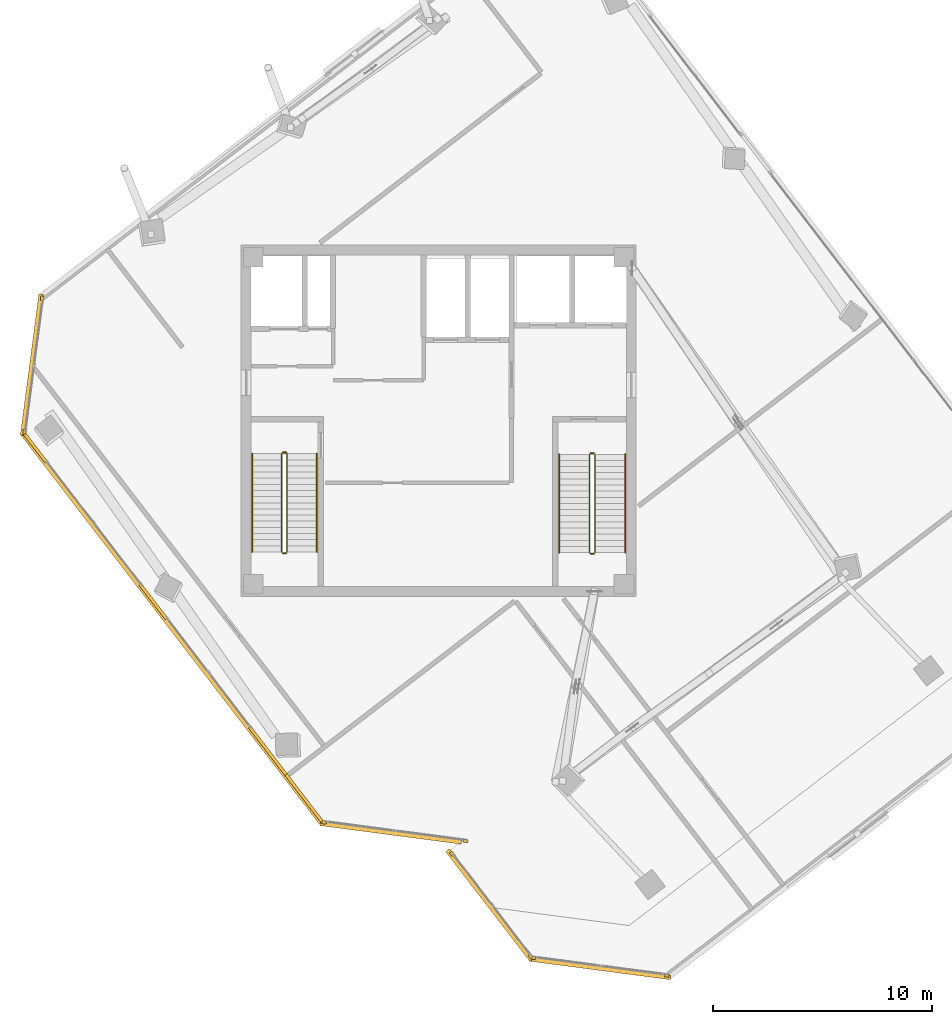
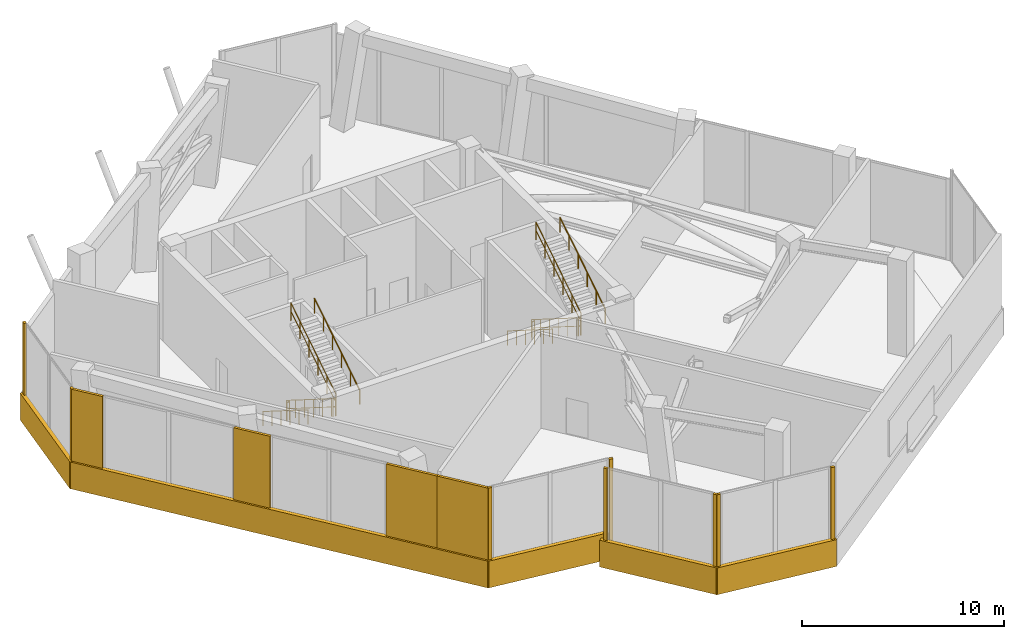
# One storey, part 17 of 19: 17 coverings, 12 railings.
"""IFC4 building model written with IfcOpenShell, lengths in metres."""

from ifc_helpers import new_model, si_unit, direction, frame, origin, origin_2d, place, context, subcontext, project, spatial, rectangle, circle, extrude, source, transform, mapped, material, layer, layer_set, type_object, element, save


model = new_model("IFC4")

# Units and contexts
model_context = context("Model", 3, precision=1e-05, world=origin(), true_north=direction((0.0, 1.0)))
body_context = subcontext(model_context, "Body", "Model", "MODEL_VIEW")
ifc_project = project(units=[si_unit("LENGTHUNIT", "METRE"), si_unit("AREAUNIT", "SQUARE_METRE"), si_unit("VOLUMEUNIT", "CUBIC_METRE"), si_unit("PLANEANGLEUNIT", "RADIAN"), si_unit("MASSUNIT", "GRAM", prefix="KILO")], contexts=[model_context])

# Site, building, storey
site_placement = place(None, origin())
site = spatial("IfcSite", under=ifc_project, at=site_placement, CompositionType="ELEMENT")
building_placement = place(site_placement, origin())
building = spatial("IfcBuilding", under=site, at=building_placement, Name="Torre Montelarca", CompositionType="ELEMENT")
storey_placement = place(building_placement, frame((0.0, 0.0, 287.800048828125)))
storey = spatial("IfcBuildingStorey", under=building, at=storey_placement, Name="L65", CompositionType="ELEMENT", Elevation=287.800048828125)

# Railings
ifc_material_1 = material(Name="Powder-coated steel ASTM A500 Grade C", Category="steel")
railing_type_1 = type_object("IfcRailingType", Name="RL-GUARD-1100", PredefinedType="BALUSTRADE", material=ifc_material_1)
railing_1_placement = place(storey_placement, frame((10.85009765625, 30.5, 0.176513671875)))
element("IfcRailing", 1, at=railing_1_placement, inside=storey, type_object=railing_type_1, Name="L65 ST1 stair guard 1", PredefinedType="BALUSTRADE", context=body_context, shape_type="SweptSolid", body=[
    extrude(circle(Radius=0.02392578125, at=origin_2d()), frame((0.0, 0.0, 1.076171875), z_axis=(0.0, -0.845997938375, 0.533186166611), x_axis=(1.0, 0.0, 0.0)), (0.0, 0.0, 1.0), 5.29541015625),
    extrude(circle(Radius=0.02099609375, at=origin_2d()), frame((0.0, 0.0, 0.572021484375), z_axis=(0.0, -0.845997938375, 0.533186166611), x_axis=(1.0, 0.0, 0.0)), (0.0, 0.0, 1.0), 5.29541015625),
    extrude(circle(Radius=0.02099609375, at=origin_2d()), origin(), (0.0, 0.0, 1.0), 1.052001953125),
    extrude(circle(Radius=0.02099609375, at=origin_2d()), frame((0.0, -0.89599609375, 0.564697265625)), (0.0, 0.0, 1.0), 1.052001953125),
    extrude(circle(Radius=0.02099609375, at=origin_2d()), frame((0.0, -1.7919921875, 1.12939453125)), (0.0, 0.0, 1.0), 1.052001953125),
    extrude(circle(Radius=0.02099609375, at=origin_2d()), frame((0.0, -2.68798828125, 1.694091796875)), (0.0, 0.0, 1.0), 1.052001953125),
    extrude(circle(Radius=0.02099609375, at=origin_2d()), frame((0.0, -3.583984375, 2.2587890625)), (0.0, 0.0, 1.0), 1.052001953125),
    extrude(circle(Radius=0.02099609375, at=origin_2d()), frame((0.0, -4.47998046875, 2.823486328125)), (0.0, 0.0, 1.0), 1.052001953125),
])
railing_2_placement = place(storey_placement, frame((10.89990234375, 25.969970703125, 3.0)))
element("IfcRailing", 2, at=railing_2_placement, inside=storey, type_object=railing_type_1, Name="L65 ST1 stair guard 2", PredefinedType="BALUSTRADE", context=body_context, shape_type="SweptSolid", body=[
    extrude(circle(Radius=0.02392578125, at=origin_2d()), frame((0.0, 0.0, 1.076171875), z_axis=(1.0, 0.0, 0.0), x_axis=(0.0, 1.0, 0.0)), (0.0, 0.0, 1.0), 0.150146484375),
    extrude(circle(Radius=0.02099609375, at=origin_2d()), frame((0.0, 0.0, 0.572021484375), z_axis=(1.0, 0.0, 0.0), x_axis=(0.0, 1.0, 0.0)), (0.0, 0.0, 1.0), 0.150146484375),
    extrude(circle(Radius=0.02099609375, at=origin_2d()), origin(), (0.0, 0.0, 1.0), 1.052001953125),
    extrude(circle(Radius=0.02099609375, at=origin_2d()), frame((0.150146484375, 0.0, 0.0)), (0.0, 0.0, 1.0), 1.052001953125),
])
railing_3_placement = place(storey_placement, frame((11.10009765625, 26.02001953125, 3.176513671875)))
element("IfcRailing", 3, at=railing_3_placement, inside=storey, type_object=railing_type_1, Name="L65 ST1 stair guard 3", PredefinedType="BALUSTRADE", context=body_context, shape_type="SweptSolid", body=[
    extrude(circle(Radius=0.02392578125, at=origin_2d()), frame((0.0, 0.0, 1.076171875), z_axis=(0.0, 0.845997938375, 0.533186166611), x_axis=(-1.0, 0.0, 0.0)), (0.0, 0.0, 1.0), 5.29541015625),
    extrude(circle(Radius=0.02099609375, at=origin_2d()), frame((0.0, 0.0, 0.572021484375), z_axis=(0.0, 0.845997938375, 0.533186166611), x_axis=(-1.0, 0.0, 0.0)), (0.0, 0.0, 1.0), 5.29541015625),
    extrude(circle(Radius=0.02099609375, at=origin_2d()), origin(), (0.0, 0.0, 1.0), 1.052001953125),
    extrude(circle(Radius=0.02099609375, at=origin_2d()), frame((0.0, 0.89599609375, 0.564697265625)), (0.0, 0.0, 1.0), 1.052001953125),
    extrude(circle(Radius=0.02099609375, at=origin_2d()), frame((0.0, 1.7919921875, 1.12939453125)), (0.0, 0.0, 1.0), 1.052001953125),
    extrude(circle(Radius=0.02099609375, at=origin_2d()), frame((0.0, 2.68798828125, 1.694091796875)), (0.0, 0.0, 1.0), 1.052001953125),
    extrude(circle(Radius=0.02099609375, at=origin_2d()), frame((0.0, 3.583984375, 2.2587890625)), (0.0, 0.0, 1.0), 1.052001953125),
    extrude(circle(Radius=0.02099609375, at=origin_2d()), frame((0.0, 4.47998046875, 2.823486328125)), (0.0, 0.0, 1.0), 1.052001953125),
])
railing_4_placement = place(storey_placement, frame((10.89990234375, 30.550048828125, 0.0)))
element("IfcRailing", 4, at=railing_4_placement, inside=storey, type_object=railing_type_1, Name="L65 ST1 stair guard 4", PredefinedType="BALUSTRADE", context=body_context, shape_type="SweptSolid", body=[
    extrude(circle(Radius=0.02392578125, at=origin_2d()), frame((0.0, 0.0, 1.076171875), z_axis=(1.0, 0.0, 0.0), x_axis=(0.0, 1.0, 0.0)), (0.0, 0.0, 1.0), 0.150146484375),
    extrude(circle(Radius=0.02099609375, at=origin_2d()), frame((0.0, 0.0, 0.572021484375), z_axis=(1.0, 0.0, 0.0), x_axis=(0.0, 1.0, 0.0)), (0.0, 0.0, 1.0), 0.150146484375),
    extrude(circle(Radius=0.02099609375, at=origin_2d()), origin(), (0.0, 0.0, 1.0), 1.052001953125),
    extrude(circle(Radius=0.02099609375, at=origin_2d()), frame((0.150146484375, 0.0, 0.0)), (0.0, 0.0, 1.0), 1.052001953125),
])
railing_5_placement = place(storey_placement, frame((24.8701171875, 30.469970703125, 0.176513671875)))
element("IfcRailing", 5, at=railing_5_placement, inside=storey, type_object=railing_type_1, Name="L65 ST2 stair guard 1", PredefinedType="BALUSTRADE", context=body_context, shape_type="SweptSolid", body=[
    extrude(circle(Radius=0.02392578125, at=origin_2d()), frame((0.0, 0.0, 1.076171875), z_axis=(0.0, -0.845997938375, 0.533186166611), x_axis=(1.0, 0.0, 0.0)), (0.0, 0.0, 1.0), 5.29541015625),
    extrude(circle(Radius=0.02099609375, at=origin_2d()), frame((0.0, 0.0, 0.572021484375), z_axis=(0.0, -0.845997938375, 0.533186166611), x_axis=(1.0, 0.0, 0.0)), (0.0, 0.0, 1.0), 5.29541015625),
    extrude(circle(Radius=0.02099609375, at=origin_2d()), origin(), (0.0, 0.0, 1.0), 1.052001953125),
    extrude(circle(Radius=0.02099609375, at=origin_2d()), frame((0.0, -0.89599609375, 0.564697265625)), (0.0, 0.0, 1.0), 1.052001953125),
    extrude(circle(Radius=0.02099609375, at=origin_2d()), frame((0.0, -1.7919921875, 1.12939453125)), (0.0, 0.0, 1.0), 1.052001953125),
    extrude(circle(Radius=0.02099609375, at=origin_2d()), frame((0.0, -2.68798828125, 1.694091796875)), (0.0, 0.0, 1.0), 1.052001953125),
    extrude(circle(Radius=0.02099609375, at=origin_2d()), frame((0.0, -3.583984375, 2.2587890625)), (0.0, 0.0, 1.0), 1.052001953125),
    extrude(circle(Radius=0.02099609375, at=origin_2d()), frame((0.0, -4.47998046875, 2.823486328125)), (0.0, 0.0, 1.0), 1.052001953125),
])
railing_6_placement = place(storey_placement, frame((24.919921875, 25.93994140625, 3.0)))
element("IfcRailing", 6, at=railing_6_placement, inside=storey, type_object=railing_type_1, Name="L65 ST2 stair guard 2", PredefinedType="BALUSTRADE", context=body_context, shape_type="SweptSolid", body=[
    extrude(circle(Radius=0.02392578125, at=origin_2d()), frame((0.0, 0.0, 1.076171875), z_axis=(1.0, 0.0, 0.0), x_axis=(0.0, 1.0, 0.0)), (0.0, 0.0, 1.0), 0.150146484375),
    extrude(circle(Radius=0.02099609375, at=origin_2d()), frame((0.0, 0.0, 0.572021484375), z_axis=(1.0, 0.0, 0.0), x_axis=(0.0, 1.0, 0.0)), (0.0, 0.0, 1.0), 0.150146484375),
    extrude(circle(Radius=0.02099609375, at=origin_2d()), origin(), (0.0, 0.0, 1.0), 1.052001953125),
    extrude(circle(Radius=0.02099609375, at=origin_2d()), frame((0.150146484375, 0.0, 0.0)), (0.0, 0.0, 1.0), 1.052001953125),
])
railing_7_placement = place(storey_placement, frame((25.1201171875, 25.989990234375, 3.176513671875)))
element("IfcRailing", 7, at=railing_7_placement, inside=storey, type_object=railing_type_1, Name="L65 ST2 stair guard 3", PredefinedType="BALUSTRADE", context=body_context, shape_type="SweptSolid", body=[
    extrude(circle(Radius=0.02392578125, at=origin_2d()), frame((0.0, 0.0, 1.076171875), z_axis=(0.0, 0.845997938375, 0.533186166611), x_axis=(-1.0, 0.0, 0.0)), (0.0, 0.0, 1.0), 5.29541015625),
    extrude(circle(Radius=0.02099609375, at=origin_2d()), frame((0.0, 0.0, 0.572021484375), z_axis=(0.0, 0.845997938375, 0.533186166611), x_axis=(-1.0, 0.0, 0.0)), (0.0, 0.0, 1.0), 5.29541015625),
    extrude(circle(Radius=0.02099609375, at=origin_2d()), origin(), (0.0, 0.0, 1.0), 1.052001953125),
    extrude(circle(Radius=0.02099609375, at=origin_2d()), frame((0.0, 0.89599609375, 0.564697265625)), (0.0, 0.0, 1.0), 1.052001953125),
    extrude(circle(Radius=0.02099609375, at=origin_2d()), frame((0.0, 1.7919921875, 1.12939453125)), (0.0, 0.0, 1.0), 1.052001953125),
    extrude(circle(Radius=0.02099609375, at=origin_2d()), frame((0.0, 2.68798828125, 1.694091796875)), (0.0, 0.0, 1.0), 1.052001953125),
    extrude(circle(Radius=0.02099609375, at=origin_2d()), frame((0.0, 3.583984375, 2.2587890625)), (0.0, 0.0, 1.0), 1.052001953125),
    extrude(circle(Radius=0.02099609375, at=origin_2d()), frame((0.0, 4.47998046875, 2.823486328125)), (0.0, 0.0, 1.0), 1.052001953125),
])
railing_8_placement = place(storey_placement, frame((24.919921875, 30.52001953125, 0.0)))
element("IfcRailing", 8, at=railing_8_placement, inside=storey, type_object=railing_type_1, Name="L65 ST2 stair guard 4", PredefinedType="BALUSTRADE", context=body_context, shape_type="SweptSolid", body=[
    extrude(circle(Radius=0.02392578125, at=origin_2d()), frame((0.0, 0.0, 1.076171875), z_axis=(1.0, 0.0, 0.0), x_axis=(0.0, 1.0, 0.0)), (0.0, 0.0, 1.0), 0.150146484375),
    extrude(circle(Radius=0.02099609375, at=origin_2d()), frame((0.0, 0.0, 0.572021484375), z_axis=(1.0, 0.0, 0.0), x_axis=(0.0, 1.0, 0.0)), (0.0, 0.0, 1.0), 0.150146484375),
    extrude(circle(Radius=0.02099609375, at=origin_2d()), origin(), (0.0, 0.0, 1.0), 1.052001953125),
    extrude(circle(Radius=0.02099609375, at=origin_2d()), frame((0.150146484375, 0.0, 0.0)), (0.0, 0.0, 1.0), 1.052001953125),
])
ifc_material_2 = material(Name="Brushed stainless steel AISI 316", Category="steel")
railing_type_2 = type_object("IfcRailingType", Name="RL-HANDRAIL-900", PredefinedType="HANDRAIL", material=ifc_material_2)
railing_9_placement = place(storey_placement, frame((9.5, 30.5, 0.176513671875)))
element("IfcRailing", 9, at=railing_9_placement, inside=storey, type_object=railing_type_2, Name="L65 ST1 stair handrail 1", PredefinedType="HANDRAIL", context=body_context, shape_type="SweptSolid", body=[
    extrude(circle(Radius=0.02392578125, at=origin_2d()), frame((0.0, 0.0, 0.8759765625), z_axis=(0.0, -0.845997938375, 0.533186166611), x_axis=(1.0, 0.0, 0.0)), (0.0, 0.0, 1.0), 5.29541015625),
    extrude(circle(Radius=0.02099609375, at=origin_2d()), origin(), (0.0, 0.0, 1.0), 0.851806640625),
    extrude(circle(Radius=0.02099609375, at=origin_2d()), frame((0.0, -0.89599609375, 0.564697265625)), (0.0, 0.0, 1.0), 0.851806640625),
    extrude(circle(Radius=0.02099609375, at=origin_2d()), frame((0.0, -1.7919921875, 1.12939453125)), (0.0, 0.0, 1.0), 0.851806640625),
    extrude(circle(Radius=0.02099609375, at=origin_2d()), frame((0.0, -2.68798828125, 1.694091796875)), (0.0, 0.0, 1.0), 0.851806640625),
    extrude(circle(Radius=0.02099609375, at=origin_2d()), frame((0.0, -3.583984375, 2.2587890625)), (0.0, 0.0, 1.0), 0.851806640625),
    extrude(circle(Radius=0.02099609375, at=origin_2d()), frame((0.0, -4.47998046875, 2.823486328125)), (0.0, 0.0, 1.0), 0.851806640625),
])
railing_10_placement = place(storey_placement, frame((12.449951171875, 26.02001953125, 3.176513671875)))
element("IfcRailing", 10, at=railing_10_placement, inside=storey, type_object=railing_type_2, Name="L65 ST1 stair handrail 2", PredefinedType="HANDRAIL", context=body_context, shape_type="SweptSolid", body=[
    extrude(circle(Radius=0.02392578125, at=origin_2d()), frame((0.0, 0.0, 0.8759765625), z_axis=(0.0, 0.845997938375, 0.533186166611), x_axis=(-1.0, 0.0, 0.0)), (0.0, 0.0, 1.0), 5.29541015625),
    extrude(circle(Radius=0.02099609375, at=origin_2d()), origin(), (0.0, 0.0, 1.0), 0.851806640625),
    extrude(circle(Radius=0.02099609375, at=origin_2d()), frame((0.0, 0.89599609375, 0.564697265625)), (0.0, 0.0, 1.0), 0.851806640625),
    extrude(circle(Radius=0.02099609375, at=origin_2d()), frame((0.0, 1.7919921875, 1.12939453125)), (0.0, 0.0, 1.0), 0.851806640625),
    extrude(circle(Radius=0.02099609375, at=origin_2d()), frame((0.0, 2.68798828125, 1.694091796875)), (0.0, 0.0, 1.0), 0.851806640625),
    extrude(circle(Radius=0.02099609375, at=origin_2d()), frame((0.0, 3.583984375, 2.2587890625)), (0.0, 0.0, 1.0), 0.851806640625),
    extrude(circle(Radius=0.02099609375, at=origin_2d()), frame((0.0, 4.47998046875, 2.823486328125)), (0.0, 0.0, 1.0), 0.851806640625),
])
railing_11_placement = place(storey_placement, frame((23.489990234375, 30.469970703125, 0.176513671875)))
element("IfcRailing", 11, at=railing_11_placement, inside=storey, type_object=railing_type_2, Name="L65 ST2 stair handrail 1", PredefinedType="HANDRAIL", context=body_context, shape_type="SweptSolid", body=[
    extrude(circle(Radius=0.02392578125, at=origin_2d()), frame((0.0, 0.0, 0.8759765625), z_axis=(0.0, -0.845997938375, 0.533186166611), x_axis=(1.0, 0.0, 0.0)), (0.0, 0.0, 1.0), 5.29541015625),
    extrude(circle(Radius=0.02099609375, at=origin_2d()), origin(), (0.0, 0.0, 1.0), 0.851806640625),
    extrude(circle(Radius=0.02099609375, at=origin_2d()), frame((0.0, -0.89599609375, 0.564697265625)), (0.0, 0.0, 1.0), 0.851806640625),
    extrude(circle(Radius=0.02099609375, at=origin_2d()), frame((0.0, -1.7919921875, 1.12939453125)), (0.0, 0.0, 1.0), 0.851806640625),
    extrude(circle(Radius=0.02099609375, at=origin_2d()), frame((0.0, -2.68798828125, 1.694091796875)), (0.0, 0.0, 1.0), 0.851806640625),
    extrude(circle(Radius=0.02099609375, at=origin_2d()), frame((0.0, -3.583984375, 2.2587890625)), (0.0, 0.0, 1.0), 0.851806640625),
    extrude(circle(Radius=0.02099609375, at=origin_2d()), frame((0.0, -4.47998046875, 2.823486328125)), (0.0, 0.0, 1.0), 0.851806640625),
])
railing_12_placement = place(storey_placement, frame((26.5, 25.989990234375, 3.176513671875)))
element("IfcRailing", 12, at=railing_12_placement, inside=storey, type_object=railing_type_2, Name="L65 ST2 stair handrail 2", PredefinedType="HANDRAIL", context=body_context, shape_type="SweptSolid", body=[
    extrude(circle(Radius=0.02392578125, at=origin_2d()), frame((0.0, 0.0, 0.8759765625), z_axis=(0.0, 0.845997938375, 0.533186166611), x_axis=(-1.0, 0.0, 0.0)), (0.0, 0.0, 1.0), 5.29541015625),
    extrude(circle(Radius=0.02099609375, at=origin_2d()), origin(), (0.0, 0.0, 1.0), 0.851806640625),
    extrude(circle(Radius=0.02099609375, at=origin_2d()), frame((0.0, 0.89599609375, 0.564697265625)), (0.0, 0.0, 1.0), 0.851806640625),
    extrude(circle(Radius=0.02099609375, at=origin_2d()), frame((0.0, 1.7919921875, 1.12939453125)), (0.0, 0.0, 1.0), 0.851806640625),
    extrude(circle(Radius=0.02099609375, at=origin_2d()), frame((0.0, 2.68798828125, 1.694091796875)), (0.0, 0.0, 1.0), 0.851806640625),
    extrude(circle(Radius=0.02099609375, at=origin_2d()), frame((0.0, 3.583984375, 2.2587890625)), (0.0, 0.0, 1.0), 0.851806640625),
    extrude(circle(Radius=0.02099609375, at=origin_2d()), frame((0.0, 4.47998046875, 2.823486328125)), (0.0, 0.0, 1.0), 0.851806640625),
])

# Coverings
ifc_material_3 = material(Name="Bush-hammered warm white precast concrete C45/55", Category="concrete")
ifc_layer = layer(ifc_material_3, 0.139892578125, Name="Bush-hammered warm white precast concrete C45/55", Category="concrete")
ifc_layer_set = layer_set([ifc_layer], Name="Bush-hammered warm white precast concrete C45/55")
covering_type = type_object("IfcCoveringType", Name="COV-TRAY-CLAD", PredefinedType="CLADDING", material=ifc_layer_set)
shared_shape_1 = source(origin(), body_context, "Body", "SweptSolid", [
    extrude(rectangle(XDim=6.48388671875, YDim=0.219970703125, at=origin_2d()), origin(), (0.0, 0.0, 1.0), 1.6201171875),
])
for number, where, z_axis, x_axis, name in (
    (13, (15.8203125, 13.236083984375, -0.4501953125), (0.0, 0.0, 1.0), (0.991444177927, -0.130531383411, 0.0), "L65 Architectural White Spandrel Tray Band TRYBOT-02"),
    (14, (25.348876953125, 7.060546875, -0.4501953125), (0.0, 0.0, 1.0), (0.991444177927, -0.130531383411, 0.0), "L65 Architectural White Spandrel Tray Band TRYBOT-05"),
    (15, (-0.529541015625, 34.543701171875, -0.4501953125), (0.0, 0.0, 1.0), (-0.130531383411, -0.991444177927, 0.0), "L65 Architectural White Spandrel Tray Band TRYBOT-11"),
):
    element("IfcCovering", number, at=place(storey_placement, frame(where, z_axis=z_axis, x_axis=x_axis)), inside=storey, type_object=covering_type, Name=name, PredefinedType="CLADDING", context=body_context, shape_type="MappedRepresentation", body=[
        mapped(shared_shape_1, transform((0.0, 0.0, 0.0), scale=1.0)),
    ])
shared_shape_2 = source(origin(), body_context, "Body", "SweptSolid", [
    extrude(rectangle(XDim=22.52001953125, YDim=0.219970703125, at=origin_2d()), origin(), (0.0, 0.0, 1.0), 1.6201171875),
])
covering_1_placement = place(storey_placement, frame((5.8671875, 22.525390625, -0.4501953125), z_axis=(0.0, 0.0, 1.0), x_axis=(0.608762813671, -0.793352277801, 0.0)))
element("IfcCovering", 16, at=covering_1_placement, inside=storey, type_object=covering_type, Name="L65 Architectural White Spandrel Tray Band TRYBOT-01", PredefinedType="CLADDING", context=body_context, shape_type="MappedRepresentation", body=[
    mapped(shared_shape_2, transform((0.0, 0.0, 0.0), scale=1.0)),
])
shared_shape_3 = source(origin(), body_context, "Body", "SweptSolid", [
    extrude(rectangle(XDim=6.320068359375, YDim=0.219970703125, at=origin_2d()), origin(), (0.0, 0.0, 1.0), 1.6201171875),
])
covering_2_placement = place(storey_placement, frame((20.32666015625, 9.923828125, -0.4501953125), z_axis=(0.0, 0.0, 1.0), x_axis=(0.6087683523, -0.793348027815, 0.0)))
element("IfcCovering", 17, at=covering_2_placement, inside=storey, type_object=covering_type, Name="L65 Architectural White Spandrel Tray Band TRYBOT-04", PredefinedType="CLADDING", context=body_context, shape_type="MappedRepresentation", body=[
    mapped(shared_shape_3, transform((0.0, 0.0, 0.0), scale=1.0)),
])
shared_shape_4 = source(origin(), body_context, "Body", "SweptSolid", [
    extrude(rectangle(XDim=1.664306640625, YDim=0.139892578125, at=origin_2d()), origin(), (0.0, 0.0, 1.0), 5.52001953125),
])
covering_3_placement = place(storey_placement, frame((-0.38720703125, 30.77490234375, 0.0), z_axis=(0.0, 0.0, 1.0), x_axis=(0.608765582989, -0.793350152813, 0.0)))
element("IfcCovering", 18, at=covering_3_placement, inside=storey, type_object=covering_type, Name="L65 Architectural Column Pier Cladding E01-1", PredefinedType="CLADDING", context=body_context, shape_type="MappedRepresentation", body=[
    mapped(shared_shape_4, transform((0.0, 0.0, 0.0), scale=1.0)),
])
shared_shape_5 = source(origin(), body_context, "Body", "SweptSolid", [
    extrude(rectangle(XDim=1.9599609375, YDim=0.139892578125, at=origin_2d()), origin(), (0.0, 0.0, 1.0), 5.52001953125),
])
covering_4_placement = place(storey_placement, frame((5.001708984375, 23.751953125, 0.0), z_axis=(0.0, 0.0, 1.0), x_axis=(0.608765582989, -0.793350152813, 0.0)))
element("IfcCovering", 19, at=covering_4_placement, inside=storey, type_object=covering_type, Name="L65 Architectural Column Pier Cladding E01-2", PredefinedType="CLADDING", context=body_context, shape_type="MappedRepresentation", body=[
    mapped(shared_shape_5, transform((0.0, 0.0, 0.0), scale=1.0)),
])
shared_shape_6 = source(origin(), body_context, "Body", "SweptSolid", [
    extrude(rectangle(XDim=2.8154296875, YDim=0.139892578125, at=origin_2d()), origin(), (0.0, 0.0, 1.0), 5.52001953125),
])
covering_5_placement = place(storey_placement, frame((10.250732421875, 16.91162109375, 0.0), z_axis=(0.0, 0.0, 1.0), x_axis=(0.608765582989, -0.793350152813, 0.0)))
element("IfcCovering", 20, at=covering_5_placement, inside=storey, type_object=covering_type, Name="L65 Architectural Column Pier Cladding E01-3", PredefinedType="CLADDING", context=body_context, shape_type="MappedRepresentation", body=[
    mapped(shared_shape_6, transform((0.0, 0.0, 0.0), scale=1.0)),
])
shared_shape_7 = source(origin(), body_context, "Body", "SweptSolid", [
    extrude(rectangle(XDim=2.754150390625, YDim=0.139892578125, at=origin_2d()), origin(), (0.0, 0.0, 1.0), 5.52001953125),
])
covering_6_placement = place(storey_placement, frame((11.885009765625, 14.781494140625, 0.0), z_axis=(0.0, 0.0, 1.0), x_axis=(0.608765582989, -0.793350152813, 0.0)))
element("IfcCovering", 21, at=covering_6_placement, inside=storey, type_object=covering_type, Name="L65 Architectural Column Pier Cladding E01-4", PredefinedType="CLADDING", context=body_context, shape_type="MappedRepresentation", body=[
    mapped(shared_shape_7, transform((0.0, 0.0, 0.0), scale=1.0)),
])
shared_shape_8 = source(origin(), body_context, "Body", "SweptSolid", [
    extrude(rectangle(XDim=0.199951171875, YDim=0.139892578125, at=origin_2d()), origin(), (0.0, 0.0, 1.0), 5.52001953125),
])
for number, where, z_axis, x_axis, name in (
    (22, (12.788330078125, 13.69580078125, 0.0), (0.0, 0.0, 1.0), (0.991444177927, -0.130531383411, 0.0), "L65 Architectural Column Pier Cladding E02-1"),
    (23, (19.232666015625, 12.847412109375, 0.0), (0.0, 0.0, 1.0), (0.991444177927, -0.130531383411, 0.0), "L65 Architectural Column Pier Cladding E02-2"),
    (24, (18.60400390625, 12.267333984375, 0.0), (0.0, 0.0, 1.0), (0.608772506252, -0.793344840301, 0.0), "L65 Architectural Column Pier Cladding E04-1"),
    (25, (22.19091796875, 7.5927734375, 0.0), (0.0, 0.0, 1.0), (0.608772506252, -0.793344840301, 0.0), "L65 Architectural Column Pier Cladding E04-2"),
    (26, (22.31689453125, 7.520263671875, 0.0), (0.0, 0.0, 1.0), (0.991444177927, -0.130531383411, 0.0), "L65 Architectural Column Pier Cladding E05-1"),
    (27, (28.396484375, 6.7197265625, 0.0), (0.0, 0.0, 1.0), (0.991444177927, -0.130531383411, 0.0), "L65 Architectural Column Pier Cladding E05-2"),
    (28, (-0.06982421875, 37.57568359375, 0.0), (0.0, 0.0, 1.0), (-0.130531383411, -0.991444177927, 0.0), "L65 Architectural Column Pier Cladding E11-1"),
    (29, (-0.870361328125, 31.495849609375, 0.0), (0.0, 0.0, 1.0), (-0.130531383411, -0.991444177927, 0.0), "L65 Architectural Column Pier Cladding E11-2"),
):
    element("IfcCovering", number, at=place(storey_placement, frame(where, z_axis=z_axis, x_axis=x_axis)), inside=storey, type_object=covering_type, Name=name, PredefinedType="CLADDING", context=body_context, shape_type="MappedRepresentation", body=[
        mapped(shared_shape_8, transform((0.0, 0.0, 0.0), scale=1.0)),
    ])

save(model, "model.ifc")
